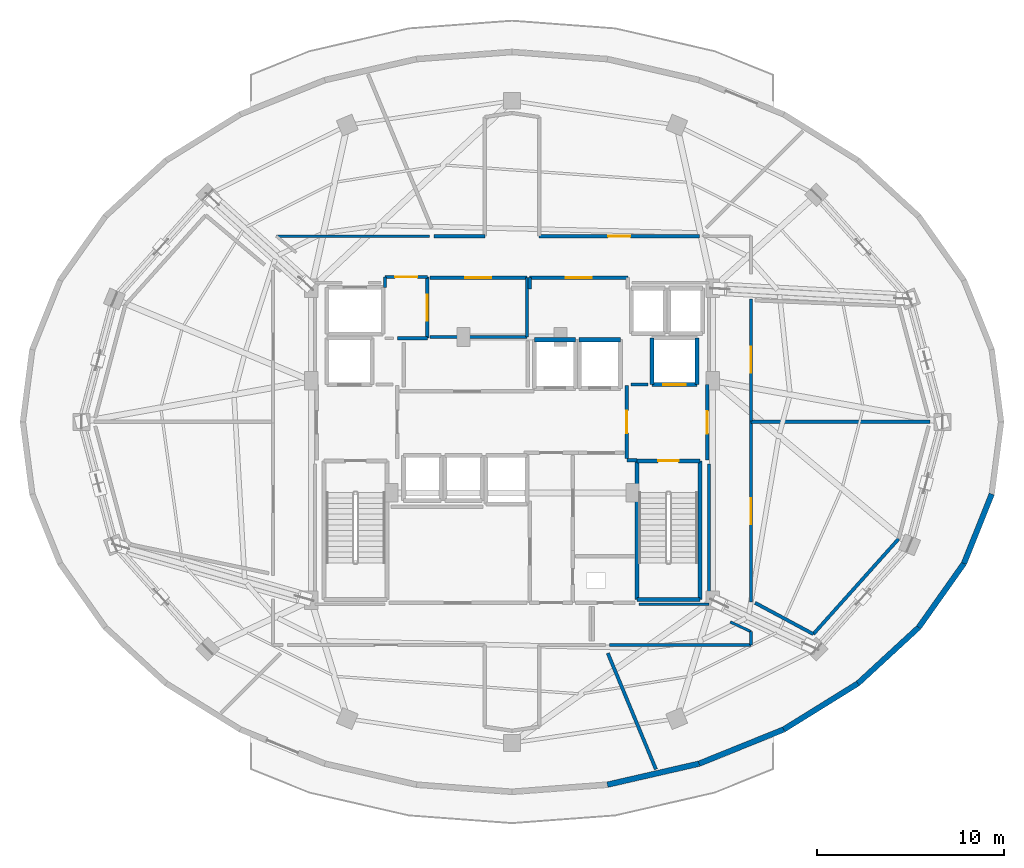
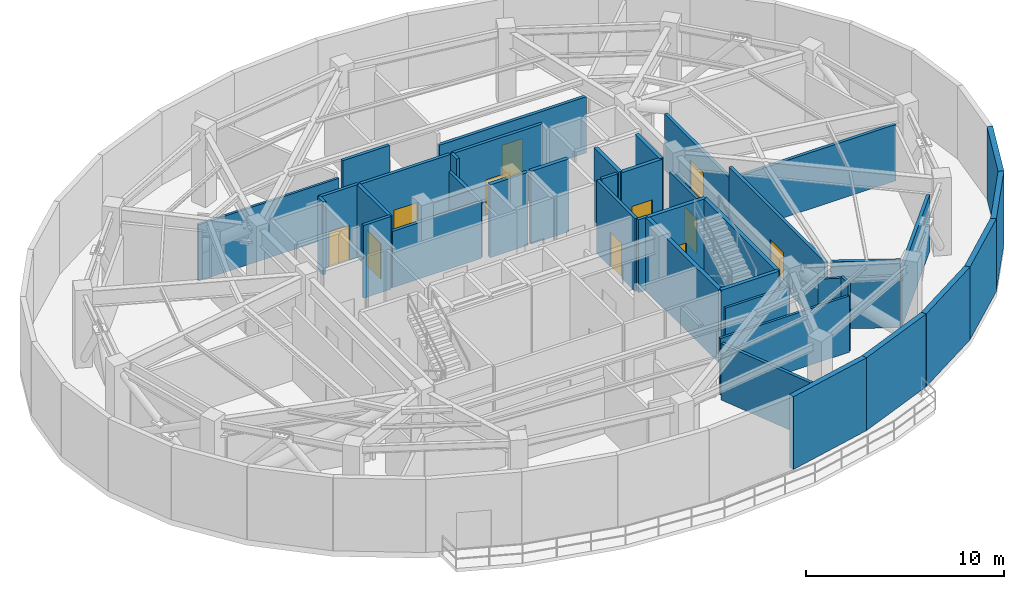
# One storey, part 8 of 10: 42 walls, 11 doors, 11 openings.
"""IFC4 building model written with IfcOpenShell, lengths in metres."""

from ifc_helpers import new_model, si_unit, direction, frame, frame_2d, origin, place, context, subcontext, project, spatial, rectangle, extrude, material, layer, layer_set, type_object, element, fill, save


model = new_model("IFC4")

# Units and contexts
model_context = context("Model", 3, precision=1e-05, world=origin(), true_north=direction((0.0, 1.0)))
body_context = subcontext(model_context, "Body", "Model", "MODEL_VIEW")
ifc_project = project(units=[si_unit("LENGTHUNIT", "METRE"), si_unit("AREAUNIT", "SQUARE_METRE"), si_unit("VOLUMEUNIT", "CUBIC_METRE"), si_unit("PLANEANGLEUNIT", "RADIAN"), si_unit("MASSUNIT", "GRAM", prefix="KILO")], contexts=[model_context])

# Site, building, storey
site_placement = place(None, origin())
site = spatial("IfcSite", under=ifc_project, at=site_placement, CompositionType="ELEMENT")
building_placement = place(site_placement, origin())
building = spatial("IfcBuilding", under=site, at=building_placement, Name="Vorneva Point Tower", CompositionType="ELEMENT")
storey_placement = place(building_placement, frame((0.0, 0.0, 224.949951171875)))
storey = spatial("IfcBuildingStorey", under=building, at=storey_placement, Name="L61", CompositionType="ELEMENT", Elevation=224.949951171875)

# Wall, opening, door
ifc_material_1 = material(Name="Concrete B60 (C50/60)", Category="concrete")
ifc_layer_1 = layer(ifc_material_1, 0.35009765625)
ifc_layer_set_1 = layer_set([ifc_layer_1], Name="Concrete B60 (C50/60)")
wall_type_1 = type_object("IfcWallType", Name="WL-CORE-350", PredefinedType="SHEAR", material=ifc_layer_set_1)
wall_1_placement = place(storey_placement, frame((45.5, 28.0, 0.0), z_axis=(0.0, 0.0, 1.0), x_axis=(1.0, 0.0, 0.0)))
wall_1 = element("IfcWall", 1, at=wall_1_placement, inside=storey, type_object=wall_type_1, Name="L61 Lift FFL2 Shaft Wall -Y", PredefinedType="SHEAR", context=body_context, shape_type="SweptSolid", body=[
    extrude(rectangle(XDim=2.39990234375, YDim=0.219970703125, at=frame_2d((1.199951171875, 0.0))), origin(), (0.0, 0.0, 1.0), 4.5),
])
opening_1_placement = place(wall_1_placement, frame((0.60009765625, 0.0, 0.0)))
opening_1 = element("IfcOpeningElement", 2, at=opening_1_placement, cuts=wall_1, Name="Opening LD-02", PredefinedType="OPENING", context=body_context, shape_type="SweptSolid", body=[
    extrude(rectangle(XDim=1.199951171875, YDim=2.199951171875, at=frame_2d((0.60009765625, 1.10009765625))), frame((0.0, 0.125, 0.0), z_axis=(0.0, -1.0, 0.0), x_axis=(1.0, 0.0, 0.0)), (0.0, 0.0, 1.0), 0.249755859375),
])
ifc_material_2 = material(Name="Brushed stainless steel S304", Category="steel")
door_type_1 = type_object("IfcDoorType", Name="LD-FIRE-1200", OperationType="SLIDING_TO_LEFT", PredefinedType="DOOR", material=ifc_material_2)
door_1_placement = place(opening_1_placement, origin())
door_1 = element("IfcDoor", 3, at=door_1_placement, inside=storey, type_object=door_type_1, Name="L61 Lift FFL2 Sliding Landing Door", OperationType="SLIDING_TO_LEFT", OverallHeight=2.199951171875, OverallWidth=1.199951171875, PredefinedType="DOOR", context=body_context, shape_type="SweptSolid", body=[
    extrude(rectangle(XDim=1.199951171875, YDim=2.199951171875, at=frame_2d((0.60009765625, 1.10009765625))), frame((0.0, 0.02490234375, 0.0), z_axis=(0.0, -1.0, 0.0), x_axis=(1.0, 0.0, 0.0)), (0.0, 0.0, 1.0), 0.050048828125),
])
fill(opening_1, door_1)

# Walls
for number, where, z_axis, x_axis, name in (
    (4, (47.89990234375, 28.0, 0.0), (0.0, 0.0, 1.0), (0.0, 1.0, 0.0), "L61 Lift FFL2 Shaft Wall +X"),
    (5, (45.5, 30.5, 0.0), (0.0, 0.0, 1.0), (0.0, -1.0, 0.0), "L61 Lift FFL2 Shaft Wall -X"),
):
    element("IfcWall", number, at=place(storey_placement, frame(where, z_axis=z_axis, x_axis=x_axis)), inside=storey, type_object=wall_type_1, Name=name, PredefinedType="SHEAR", context=body_context, shape_type="SweptSolid", body=[
        extrude(rectangle(XDim=2.5, YDim=0.219970703125, at=frame_2d((1.25, 0.0))), origin(), (0.0, 0.0, 1.0), 4.5),
    ])
ifc_material_3 = material(Name="Precast concrete B50 (C40/50)", Category="concrete")
ifc_layer_2 = layer(ifc_material_3, 0.300048828125)
ifc_layer_set_2 = layer_set([ifc_layer_2], Name="Precast concrete B50 (C40/50)")
wall_type_2 = type_object("IfcWallType", Name="WL-EXT-300", PredefinedType="STANDARD", material=ifc_layer_set_2)
wall_2_placement = place(storey_placement, frame((43.111328125, 6.570556640625, 0.0), z_axis=(0.0, 0.0, 1.0), x_axis=(0.974685739337, 0.223579313742, 0.0)))
element("IfcWall", 6, at=wall_2_placement, inside=storey, type_object=wall_type_2, Name="L61 Pale-Metal Facade Spandrel Wall 13.2", PredefinedType="STANDARD", context=body_context, shape_type="SweptSolid", body=[
    extrude(rectangle(XDim=5.042724609375, YDim=0.300048828125, at=frame_2d((2.521484375, 0.0))), origin(), (0.0, 0.0, 1.0), 4.5),
])
wall_3_placement = place(storey_placement, frame((48.0263671875, 7.697998046875, 0.0), z_axis=(0.0, 0.0, 1.0), x_axis=(0.927147375511, 0.374696869594, 0.0)))
element("IfcWall", 7, at=wall_3_placement, inside=storey, type_object=wall_type_2, Name="L61 Pale-Metal Facade Spandrel Wall 14.1", PredefinedType="STANDARD", context=body_context, shape_type="SweptSolid", body=[
    extrude(rectangle(XDim=4.885498046875, YDim=0.300048828125, at=frame_2d((2.44287109375, 0.0))), origin(), (0.0, 0.0, 1.0), 4.5),
])
wall_4_placement = place(storey_placement, frame((52.555908203125, 9.528564453125, 0.0), z_axis=(0.0, 0.0, 1.0), x_axis=(0.849702323036, 0.527262707032, 0.0)))
element("IfcWall", 8, at=wall_4_placement, inside=storey, type_object=wall_type_2, Name="L61 Pale-Metal Facade Spandrel Wall 14.2", PredefinedType="STANDARD", context=body_context, shape_type="SweptSolid", body=[
    extrude(rectangle(XDim=4.67236328125, YDim=0.300048828125, at=frame_2d((2.336181640625, 0.0))), origin(), (0.0, 0.0, 1.0), 4.5),
])
wall_5_placement = place(storey_placement, frame((56.526123046875, 11.9921875, 0.0), z_axis=(0.0, 0.0, 1.0), x_axis=(0.735445373611, 0.677584018727, 0.0)))
element("IfcWall", 9, at=wall_5_placement, inside=storey, type_object=wall_type_2, Name="L61 Pale-Metal Facade Spandrel Wall 15.1", PredefinedType="STANDARD", context=body_context, shape_type="SweptSolid", body=[
    extrude(rectangle(XDim=4.430419921875, YDim=0.300048828125, at=frame_2d((2.21533203125, 0.0))), origin(), (0.0, 0.0, 1.0), 4.5),
])
wall_6_placement = place(storey_placement, frame((59.784423828125, 14.994140625, 0.0), z_axis=(0.0, 0.0, 1.0), x_axis=(0.577261247247, 0.816559521668, 0.0)))
element("IfcWall", 10, at=wall_6_placement, inside=storey, type_object=wall_type_2, Name="L61 Pale-Metal Facade Spandrel Wall 15.2", PredefinedType="STANDARD", context=body_context, shape_type="SweptSolid", body=[
    extrude(rectangle(XDim=4.194091796875, YDim=0.300048828125, at=frame_2d((2.09716796875, 0.0))), origin(), (0.0, 0.0, 1.0), 4.5),
])
wall_7_placement = place(storey_placement, frame((62.20556640625, 18.4189453125, 0.0), z_axis=(0.0, 0.0, 1.0), x_axis=(0.37234708598, 0.928093555393, 0.0)))
element("IfcWall", 11, at=wall_7_placement, inside=storey, type_object=wall_type_2, Name="L61 Pale-Metal Facade Spandrel Wall 16.1", PredefinedType="STANDARD", context=body_context, shape_type="SweptSolid", body=[
    extrude(rectangle(XDim=4.004150390625, YDim=0.300048828125, at=frame_2d((2.001953125, 0.0))), origin(), (0.0, 0.0, 1.0), 4.5),
])
ifc_material_4 = material(Name="Fire-rated acoustic gypsum stud partition", Category="gypsum")
ifc_layer_3 = layer(ifc_material_4, 0.139892578125)
ifc_layer_set_3 = layer_set([ifc_layer_3], Name="Fire-rated acoustic gypsum stud partition")
wall_type_3 = type_object("IfcWallType", Name="WL-PART-140", PredefinedType="PARTITIONING", material=ifc_layer_set_3)
wall_8_placement = place(storey_placement, frame((43.235107421875, 14.050048828125, 0.0), z_axis=(0.0, 0.0, 1.0), x_axis=(1.0, 0.0, 0.0)))
element("IfcWall", 12, at=wall_8_placement, inside=storey, type_object=wall_type_3, Name="L61 Interior Closure Partition 050", PredefinedType="PARTITIONING", context=body_context, shape_type="SweptSolid", body=[
    extrude(rectangle(XDim=7.56494140625, YDim=0.139892578125, at=frame_2d((3.782470703125, 0.0))), origin(), (0.0, 0.0, 1.0), 3.48193359375),
])
wall_9_placement = place(storey_placement, frame((50.800048828125, 14.050048828125, 0.0), z_axis=(0.0, 0.0, 1.0), x_axis=(0.0, 1.0, 0.0)))
element("IfcWall", 13, at=wall_9_placement, inside=storey, type_object=wall_type_3, Name="L61 Interior Closure Partition 051", PredefinedType="PARTITIONING", context=body_context, shape_type="SweptSolid", body=[
    extrude(rectangle(XDim=0.716064453125, YDim=0.139892578125, at=frame_2d((0.35791015625, 0.0))), origin(), (0.0, 0.0, 1.0), 4.23193359375),
])
wall_10_placement = place(storey_placement, frame((50.800048828125, 14.76611328125, 0.0), z_axis=(0.0, 0.0, 1.0), x_axis=(-0.904646647719, 0.426162460537, 0.0)))
element("IfcWall", 14, at=wall_10_placement, inside=storey, type_object=wall_type_3, Name="L61 Interior Closure Partition 052", PredefinedType="PARTITIONING", context=body_context, shape_type="SweptSolid", body=[
    extrude(rectangle(XDim=1.222412109375, YDim=0.139892578125, at=frame_2d((0.611328125, 0.0))), origin(), (0.0, 0.0, 1.0), 4.14599609375),
])
wall_11_placement = place(storey_placement, frame((33.593994140625, 35.949951171875, 0.0), z_axis=(0.0, 0.0, 1.0), x_axis=(-1.0, 0.0, 0.0)))
element("IfcWall", 15, at=wall_11_placement, inside=storey, type_object=wall_type_3, Name="L61 Interior Closure Partition 055", PredefinedType="PARTITIONING", context=body_context, shape_type="SweptSolid", body=[
    extrude(rectangle(XDim=8.215087890625, YDim=0.139892578125, at=frame_2d((4.107421875, 0.0))), origin(), (0.0, 0.0, 1.0), 3.48193359375),
])
wall_12_placement = place(storey_placement, frame((44.804931640625, 16.239990234375, 0.0), z_axis=(0.0, 0.0, 1.0), x_axis=(1.0, 0.0, 0.0)))
element("IfcWall", 16, at=wall_12_placement, inside=storey, type_object=wall_type_3, Name="L61 Interior Closure Partition 067", PredefinedType="PARTITIONING", context=body_context, shape_type="SweptSolid", body=[
    extrude(rectangle(XDim=3.7451171875, YDim=0.139892578125, at=frame_2d((1.87255859375, 0.0))), origin(), (0.0, 0.0, 1.0), 3.48193359375),
])
wall_13_placement = place(storey_placement, frame((48.550048828125, 16.239990234375, 0.0), z_axis=(0.0, 0.0, 1.0), x_axis=(0.0, 1.0, 0.0)))
element("IfcWall", 17, at=wall_13_placement, inside=storey, type_object=wall_type_3, Name="L61 Interior Closure Partition 068", PredefinedType="PARTITIONING", context=body_context, shape_type="SweptSolid", body=[
    extrude(rectangle(XDim=7.513916015625, YDim=0.139892578125, at=frame_2d((3.7568359375, 0.0))), origin(), (0.0, 0.0, 1.0), 3.48193359375),
])

# Wall, opening, door
ifc_material_5 = material(Name="Autoclaved aerated concrete blockwork", Category="masonry")
ifc_layer_4 = layer(ifc_material_5, 0.179931640625)
ifc_layer_set_4 = layer_set([ifc_layer_4], Name="Autoclaved aerated concrete blockwork")
wall_type_4 = type_object("IfcWallType", Name="WL-PART-180", PredefinedType="PARTITIONING", material=ifc_layer_set_4)
wall_14_placement = place(storey_placement, frame((44.14990234375, 27.955078125, 0.0), z_axis=(0.0, 0.0, 1.0), x_axis=(0.0, -1.0, 0.0)))
wall_14 = element("IfcWall", 18, at=wall_14_placement, inside=storey, type_object=wall_type_4, Name="L61 Interior Partition 003", PredefinedType="PARTITIONING", context=body_context, shape_type="SweptSolid", body=[
    extrude(rectangle(XDim=3.91015625, YDim=0.179931640625, at=frame_2d((1.955078125, 0.0))), origin(), (0.0, 0.0, 1.0), 4.5),
])
opening_2_placement = place(wall_14_placement, frame((1.35498046875, 0.0, 0.0)))
opening_2 = element("IfcOpeningElement", 19, at=opening_2_placement, cuts=wall_14, Name="Opening FD-02", PredefinedType="OPENING", context=body_context, shape_type="SweptSolid", body=[
    extrude(rectangle(XDim=1.199951171875, YDim=2.14990234375, at=frame_2d((0.60009765625, 1.074951171875))), frame((0.0, 0.10498046875, 0.0), z_axis=(0.0, -1.0, 0.0), x_axis=(1.0, 0.0, 0.0)), (0.0, 0.0, 1.0), 0.209716796875),
])
ifc_material_6 = material(Name="Fire-rated powder-coated steel", Category="steel")
door_type_2 = type_object("IfcDoorType", Name="DR-FFL-1200", OperationType="NOTDEFINED", PredefinedType="DOOR", material=ifc_material_6)
door_2_placement = place(opening_2_placement, origin())
door_2 = element("IfcDoor", 20, at=door_2_placement, inside=storey, type_object=door_type_2, Name="L61 Door East Firefighting Lobby / Central Lift Lobby", OperationType="SINGLE_SWING_RIGHT", OverallHeight=2.14990234375, OverallWidth=1.199951171875, PredefinedType="DOOR", context=body_context, shape_type="SweptSolid", body=[
    extrude(rectangle(XDim=1.199951171875, YDim=2.14990234375, at=frame_2d((0.60009765625, 1.074951171875))), frame((0.0, 0.02490234375, 0.0), z_axis=(0.0, -1.0, 0.0), x_axis=(1.0, 0.0, 0.0)), (0.0, 0.0, 1.0), 0.050048828125),
])
fill(opening_2, door_2)

# Wall
wall_15_placement = place(storey_placement, frame((44.14990234375, 23.949951171875, 0.0), z_axis=(0.0, 0.0, 1.0), x_axis=(1.0, 0.0, 0.0)))
element("IfcWall", 21, at=wall_15_placement, inside=storey, type_object=wall_type_4, Name="L61 Interior Partition 004", PredefinedType="PARTITIONING", context=body_context, shape_type="SweptSolid", body=[
    extrude(rectangle(XDim=0.5400390625, YDim=0.179931640625, at=frame_2d((0.27001953125, 0.0))), origin(), (0.0, 0.0, 1.0), 4.5),
])

# Wall, opening, door
wall_16_placement = place(storey_placement, frame((48.449951171875, 23.949951171875, 0.0), z_axis=(0.0, 0.0, 1.0), x_axis=(0.0, 1.0, 0.0)))
wall_16 = element("IfcWall", 22, at=wall_16_placement, inside=storey, type_object=wall_type_4, Name="L61 Interior Partition 005", PredefinedType="PARTITIONING", context=body_context, shape_type="SweptSolid", body=[
    extrude(rectangle(XDim=4.050048828125, YDim=0.179931640625, at=frame_2d((2.02490234375, 0.0))), origin(), (0.0, 0.0, 1.0), 3.48193359375),
])
opening_3_placement = place(wall_16_placement, frame((1.425048828125, 0.0, 0.0)))
opening_3 = element("IfcOpeningElement", 23, at=opening_3_placement, cuts=wall_16, Name="Opening FD-02", PredefinedType="OPENING", context=body_context, shape_type="SweptSolid", body=[
    extrude(rectangle(XDim=1.199951171875, YDim=2.14990234375, at=frame_2d((0.60009765625, 1.074951171875))), frame((0.0, 0.10498046875, 0.0), z_axis=(0.0, -1.0, 0.0), x_axis=(1.0, 0.0, 0.0)), (0.0, 0.0, 1.0), 0.209716796875),
])
door_3_placement = place(opening_3_placement, origin())
door_3 = element("IfcDoor", 24, at=door_3_placement, inside=storey, type_object=door_type_2, Name="L61 Door East Firefighting Lobby / L61 Refuge and Lift Lobby", OperationType="SINGLE_SWING_LEFT", OverallHeight=2.14990234375, OverallWidth=1.199951171875, PredefinedType="DOOR", context=body_context, shape_type="SweptSolid", body=[
    extrude(rectangle(XDim=1.199951171875, YDim=2.14990234375, at=frame_2d((0.60009765625, 1.074951171875))), frame((0.0, 0.02490234375, 0.0), z_axis=(0.0, -1.0, 0.0), x_axis=(1.0, 0.0, 0.0)), (0.0, 0.0, 1.0), 0.050048828125),
])
fill(opening_3, door_3)

wall_17_placement = place(storey_placement, frame((33.469970703125, 30.47998046875, 0.0), z_axis=(0.0, 0.0, 1.0), x_axis=(0.0, 1.0, 0.0)))
wall_17 = element("IfcWall", 25, at=wall_17_placement, inside=storey, type_object=wall_type_4, Name="L61 Interior Partition 006", PredefinedType="PARTITIONING", context=body_context, shape_type="SweptSolid", body=[
    extrude(rectangle(XDim=3.280029296875, YDim=0.179931640625, at=frame_2d((1.64013671875, 0.0))), origin(), (0.0, 0.0, 1.0), 4.5),
])
opening_4_placement = place(wall_17_placement, frame((0.93994140625, 0.0, 0.0)))
opening_4 = element("IfcOpeningElement", 26, at=opening_4_placement, cuts=wall_17, Name="Opening FD-03", PredefinedType="OPENING", context=body_context, shape_type="SweptSolid", body=[
    extrude(rectangle(XDim=1.39990234375, YDim=2.199951171875, at=frame_2d((0.699951171875, 1.10009765625))), frame((0.0, 0.10498046875, 0.0), z_axis=(0.0, -1.0, 0.0), x_axis=(1.0, 0.0, 0.0)), (0.0, 0.0, 1.0), 0.209716796875),
])
door_type_3 = type_object("IfcDoorType", Name="DR-PLT-1400", OperationType="DOUBLE_SWING_LEFT", PredefinedType="DOOR", material=ifc_material_6)
door_4_placement = place(opening_4_placement, origin())
door_4 = element("IfcDoor", 27, at=door_4_placement, inside=storey, type_object=door_type_3, Name="L61 Door Service Lift Lobby / Core Smoke Extract Plant L61", OperationType="DOUBLE_SWING_LEFT", OverallHeight=2.199951171875, OverallWidth=1.39990234375, PredefinedType="DOOR", context=body_context, shape_type="SweptSolid", body=[
    extrude(rectangle(XDim=1.39990234375, YDim=2.199951171875, at=frame_2d((0.699951171875, 1.10009765625))), frame((0.0, 0.02490234375, 0.0), z_axis=(0.0, -1.0, 0.0), x_axis=(1.0, 0.0, 0.0)), (0.0, 0.0, 1.0), 0.050048828125),
])
fill(opening_4, door_4)

# Wall
wall_18_placement = place(storey_placement, frame((31.8701171875, 30.47998046875, 0.0), z_axis=(0.0, 0.0, 1.0), x_axis=(1.0, 0.0, 0.0)))
element("IfcWall", 28, at=wall_18_placement, inside=storey, type_object=wall_type_4, Name="L61 Interior Partition 007", PredefinedType="PARTITIONING", context=body_context, shape_type="SweptSolid", body=[
    extrude(rectangle(XDim=1.599853515625, YDim=0.179931640625, at=frame_2d((0.7998046875, 0.0))), origin(), (0.0, 0.0, 1.0), 4.5),
])

# Wall, opening, door
wall_19_placement = place(storey_placement, frame((33.469970703125, 33.760009765625, 0.0), z_axis=(0.0, 0.0, 1.0), x_axis=(-1.0, 0.0, 0.0)))
wall_19 = element("IfcWall", 29, at=wall_19_placement, inside=storey, type_object=wall_type_4, Name="L61 Interior Partition 008", PredefinedType="PARTITIONING", context=body_context, shape_type="SweptSolid", body=[
    extrude(rectangle(XDim=2.27001953125, YDim=0.179931640625, at=frame_2d((1.135009765625, 0.0))), origin(), (0.0, 0.0, 1.0), 4.5),
])
opening_5_placement = place(wall_19_placement, frame((0.534912109375, 0.0, 0.0)))
opening_5 = element("IfcOpeningElement", 30, at=opening_5_placement, cuts=wall_19, Name="Opening FD-02", PredefinedType="OPENING", context=body_context, shape_type="SweptSolid", body=[
    extrude(rectangle(XDim=1.199951171875, YDim=2.14990234375, at=frame_2d((0.60009765625, 1.074951171875))), frame((0.0, 0.10498046875, 0.0), z_axis=(0.0, -1.0, 0.0), x_axis=(1.0, 0.0, 0.0)), (0.0, 0.0, 1.0), 0.209716796875),
])
door_5_placement = place(opening_5_placement, origin())
door_5 = element("IfcDoor", 31, at=door_5_placement, inside=storey, type_object=door_type_2, Name="L61 Door Service Lift Lobby / L61 Refuge and Lift Lobby", OperationType="SINGLE_SWING_RIGHT", OverallHeight=2.14990234375, OverallWidth=1.199951171875, PredefinedType="DOOR", context=body_context, shape_type="SweptSolid", body=[
    extrude(rectangle(XDim=1.199951171875, YDim=2.14990234375, at=frame_2d((0.60009765625, 1.074951171875))), frame((0.0, 0.02490234375, 0.0), z_axis=(0.0, -1.0, 0.0), x_axis=(1.0, 0.0, 0.0)), (0.0, 0.0, 1.0), 0.050048828125),
])
fill(opening_5, door_5)

# Walls
wall_20_placement = place(storey_placement, frame((31.199951171875, 33.760009765625, 0.0), z_axis=(0.0, 0.0, 1.0), x_axis=(0.0, -1.0, 0.0)))
element("IfcWall", 32, at=wall_20_placement, inside=storey, type_object=wall_type_4, Name="L61 Interior Partition 009", PredefinedType="PARTITIONING", context=body_context, shape_type="SweptSolid", body=[
    extrude(rectangle(XDim=0.56005859375, YDim=0.179931640625, at=frame_2d((0.280029296875, 0.0))), origin(), (0.0, 0.0, 1.0), 4.5),
])
wall_21_placement = place(storey_placement, frame((38.800048828125, 30.550048828125, 0.0), z_axis=(0.0, 0.0, 1.0), x_axis=(0.0, 1.0, 0.0)))
element("IfcWall", 33, at=wall_21_placement, inside=storey, type_object=wall_type_4, Name="L61 Interior Partition 017", PredefinedType="PARTITIONING", context=body_context, shape_type="SweptSolid", body=[
    extrude(rectangle(XDim=3.169921875, YDim=0.179931640625, at=frame_2d((1.5849609375, 0.0))), origin(), (0.0, 0.0, 1.0), 3.48193359375),
])
wall_22_placement = place(storey_placement, frame((33.60009765625, 30.550048828125, 0.0), z_axis=(0.0, 0.0, 1.0), x_axis=(1.0, 0.0, 0.0)))
element("IfcWall", 34, at=wall_22_placement, inside=storey, type_object=wall_type_4, Name="L61 Interior Partition 018", PredefinedType="PARTITIONING", context=body_context, shape_type="SweptSolid", body=[
    extrude(rectangle(XDim=5.199951171875, YDim=0.179931640625, at=frame_2d((2.60009765625, 0.0))), origin(), (0.0, 0.0, 1.0), 3.48193359375),
])

# Wall, opening, door
wall_23_placement = place(storey_placement, frame((38.800048828125, 33.719970703125, 0.0), z_axis=(0.0, 0.0, 1.0), x_axis=(-1.0, 0.0, 0.0)))
wall_23 = element("IfcWall", 35, at=wall_23_placement, inside=storey, type_object=wall_type_4, Name="L61 Interior Partition 019", PredefinedType="PARTITIONING", context=body_context, shape_type="SweptSolid", body=[
    extrude(rectangle(XDim=5.199951171875, YDim=0.179931640625, at=frame_2d((2.60009765625, 0.0))), origin(), (0.0, 0.0, 1.0), 4.5),
])
opening_6_placement = place(wall_23_placement, frame((1.89990234375, 0.0, 0.0)))
opening_6 = element("IfcOpeningElement", 36, at=opening_6_placement, cuts=wall_23, Name="Opening FD-03", PredefinedType="OPENING", context=body_context, shape_type="SweptSolid", body=[
    extrude(rectangle(XDim=1.39990234375, YDim=2.199951171875, at=frame_2d((0.699951171875, 1.10009765625))), frame((0.0, 0.10498046875, 0.0), z_axis=(0.0, -1.0, 0.0), x_axis=(1.0, 0.0, 0.0)), (0.0, 0.0, 1.0), 0.209716796875),
])
door_6_placement = place(opening_6_placement, origin())
door_6 = element("IfcDoor", 37, at=door_6_placement, inside=storey, type_object=door_type_3, Name="L61 Door Core Smoke Extract Plant L61 / L61 Refuge and Lift Lobby", OperationType="DOUBLE_SWING_LEFT", OverallHeight=2.199951171875, OverallWidth=1.39990234375, PredefinedType="DOOR", context=body_context, shape_type="SweptSolid", body=[
    extrude(rectangle(XDim=1.39990234375, YDim=2.199951171875, at=frame_2d((0.699951171875, 1.10009765625))), frame((0.0, 0.02490234375, 0.0), z_axis=(0.0, -1.0, 0.0), x_axis=(1.0, 0.0, 0.0)), (0.0, 0.0, 1.0), 0.050048828125),
])
fill(opening_6, door_6)

wall_24_placement = place(storey_placement, frame((44.199951171875, 33.719970703125, 0.0), z_axis=(0.0, 0.0, 1.0), x_axis=(-1.0, 0.0, 0.0)))
wall_24 = element("IfcWall", 38, at=wall_24_placement, inside=storey, type_object=wall_type_4, Name="L61 Interior Partition 020", PredefinedType="PARTITIONING", context=body_context, shape_type="SweptSolid", body=[
    extrude(rectangle(XDim=5.25, YDim=0.179931640625, at=frame_2d((2.625, 0.0))), origin(), (0.0, 0.0, 1.0), 4.5),
])
opening_7_placement = place(wall_24_placement, frame((1.925048828125, 0.0, 0.0)))
opening_7 = element("IfcOpeningElement", 39, at=opening_7_placement, cuts=wall_24, Name="Opening FD-03", PredefinedType="OPENING", context=body_context, shape_type="SweptSolid", body=[
    extrude(rectangle(XDim=1.39990234375, YDim=2.199951171875, at=frame_2d((0.699951171875, 1.10009765625))), frame((0.0, 0.10498046875, 0.0), z_axis=(0.0, -1.0, 0.0), x_axis=(1.0, 0.0, 0.0)), (0.0, 0.0, 1.0), 0.209716796875),
])
door_7_placement = place(opening_7_placement, origin())
door_7 = element("IfcDoor", 40, at=door_7_placement, inside=storey, type_object=door_type_3, Name="L61 Door Core Electrical Switchgear Room L61 / L61 Refuge and Lift Lobby", OperationType="DOUBLE_SWING_LEFT", OverallHeight=2.199951171875, OverallWidth=1.39990234375, PredefinedType="DOOR", context=body_context, shape_type="SweptSolid", body=[
    extrude(rectangle(XDim=1.39990234375, YDim=2.199951171875, at=frame_2d((0.699951171875, 1.10009765625))), frame((0.0, 0.02490234375, 0.0), z_axis=(0.0, -1.0, 0.0), x_axis=(1.0, 0.0, 0.0)), (0.0, 0.0, 1.0), 0.050048828125),
])
fill(opening_7, door_7)

# Wall
wall_25_placement = place(storey_placement, frame((38.949951171875, 33.719970703125, 0.0), z_axis=(0.0, 0.0, 1.0), x_axis=(0.0, -1.0, 0.0)))
element("IfcWall", 41, at=wall_25_placement, inside=storey, type_object=wall_type_4, Name="L61 Interior Partition 021", PredefinedType="PARTITIONING", context=body_context, shape_type="SweptSolid", body=[
    extrude(rectangle(XDim=0.60986328125, YDim=0.179931640625, at=frame_2d((0.304931640625, 0.0))), origin(), (0.0, 0.0, 1.0), 4.5),
])

# Wall, opening, door
wall_26_placement = place(storey_placement, frame((48.034912109375, 35.949951171875, 0.0), z_axis=(0.0, 0.0, 1.0), x_axis=(-1.0, 0.0, 0.0)))
wall_26 = element("IfcWall", 42, at=wall_26_placement, inside=storey, type_object=wall_type_4, Name="L61 Interior Partition 026", PredefinedType="PARTITIONING", context=body_context, shape_type="SweptSolid", body=[
    extrude(rectangle(XDim=8.5849609375, YDim=0.179931640625, at=frame_2d((4.29248046875, 0.0))), origin(), (0.0, 0.0, 1.0), 3.48193359375),
])
opening_8_placement = place(wall_26_placement, frame((3.6923828125, 0.0, 0.0)))
opening_8 = element("IfcOpeningElement", 43, at=opening_8_placement, cuts=wall_26, Name="Opening FD-02", PredefinedType="OPENING", context=body_context, shape_type="SweptSolid", body=[
    extrude(rectangle(XDim=1.199951171875, YDim=2.14990234375, at=frame_2d((0.60009765625, 1.074951171875))), frame((0.0, 0.10498046875, 0.0), z_axis=(0.0, -1.0, 0.0), x_axis=(1.0, 0.0, 0.0)), (0.0, 0.0, 1.0), 0.209716796875),
])
door_8_placement = place(opening_8_placement, origin())
door_8 = element("IfcDoor", 44, at=door_8_placement, inside=storey, type_object=door_type_2, Name="L61 Door L61 Refuge and Lift Lobby / Refuge Area North L61", OperationType="SINGLE_SWING_RIGHT", OverallHeight=2.14990234375, OverallWidth=1.199951171875, PredefinedType="DOOR", context=body_context, shape_type="SweptSolid", body=[
    extrude(rectangle(XDim=1.199951171875, YDim=2.14990234375, at=frame_2d((0.60009765625, 1.074951171875))), frame((0.0, 0.02490234375, 0.0), z_axis=(0.0, -1.0, 0.0), x_axis=(1.0, 0.0, 0.0)), (0.0, 0.0, 1.0), 0.050048828125),
])
fill(opening_8, door_8)

# Wall
wall_27_placement = place(storey_placement, frame((36.550048828125, 35.949951171875, 0.0), z_axis=(0.0, 0.0, 1.0), x_axis=(-1.0, 0.0, 0.0)))
element("IfcWall", 45, at=wall_27_placement, inside=storey, type_object=wall_type_4, Name="L61 Interior Partition 031", PredefinedType="PARTITIONING", context=body_context, shape_type="SweptSolid", body=[
    extrude(rectangle(XDim=2.736083984375, YDim=0.179931640625, at=frame_2d((1.3681640625, 0.0))), origin(), (0.0, 0.0, 1.0), 4.5),
])

# Wall, opening, door
wall_28_placement = place(storey_placement, frame((50.800048828125, 16.35888671875, 0.0), z_axis=(0.0, 0.0, 1.0), x_axis=(0.0, 1.0, 0.0)))
wall_28 = element("IfcWall", 46, at=wall_28_placement, inside=storey, type_object=wall_type_4, Name="L61 Interior Partition 040", PredefinedType="PARTITIONING", context=body_context, shape_type="SweptSolid", body=[
    extrude(rectangle(XDim=9.701171875, YDim=0.179931640625, at=frame_2d((4.8505859375, 0.0))), origin(), (0.0, 0.0, 1.0), 4.14599609375),
])
opening_9_placement = place(wall_28_placement, frame((4.150390625, 0.0, 0.0)))
opening_9 = element("IfcOpeningElement", 47, at=opening_9_placement, cuts=wall_28, Name="Opening FD-03", PredefinedType="OPENING", context=body_context, shape_type="SweptSolid", body=[
    extrude(rectangle(XDim=1.39990234375, YDim=2.199951171875, at=frame_2d((0.699951171875, 1.10009765625))), frame((0.0, 0.10498046875, 0.0), z_axis=(0.0, -1.0, 0.0), x_axis=(1.0, 0.0, 0.0)), (0.0, 0.0, 1.0), 0.209716796875),
])
door_9_placement = place(opening_9_placement, origin())
door_9 = element("IfcDoor", 48, at=door_9_placement, inside=storey, type_object=door_type_3, Name="L61 Door L61 Refuge and Lift Lobby / Air Handling Plant Room L61", OperationType="DOUBLE_SWING_LEFT", OverallHeight=2.199951171875, OverallWidth=1.39990234375, PredefinedType="DOOR", context=body_context, shape_type="SweptSolid", body=[
    extrude(rectangle(XDim=1.39990234375, YDim=2.199951171875, at=frame_2d((0.699951171875, 1.10009765625))), frame((0.0, 0.02490234375, 0.0), z_axis=(0.0, -1.0, 0.0), x_axis=(1.0, 0.0, 0.0)), (0.0, 0.0, 1.0), 0.050048828125),
])
fill(opening_9, door_9)

wall_29_placement = place(storey_placement, frame((50.800048828125, 26.06005859375, 0.0), z_axis=(0.0, 0.0, 1.0), x_axis=(0.0, 1.0, 0.0)))
wall_29 = element("IfcWall", 49, at=wall_29_placement, inside=storey, type_object=wall_type_4, Name="L61 Interior Partition 041", PredefinedType="PARTITIONING", context=body_context, shape_type="SweptSolid", body=[
    extrude(rectangle(XDim=6.517822265625, YDim=0.179931640625, at=frame_2d((3.2587890625, 0.0))), origin(), (0.0, 0.0, 1.0), 3.48193359375),
])
opening_10_placement = place(wall_29_placement, frame((2.55908203125, 0.0, 0.0)))
opening_10 = element("IfcOpeningElement", 50, at=opening_10_placement, cuts=wall_29, Name="Opening FD-03", PredefinedType="OPENING", context=body_context, shape_type="SweptSolid", body=[
    extrude(rectangle(XDim=1.39990234375, YDim=2.199951171875, at=frame_2d((0.699951171875, 1.10009765625))), frame((0.0, 0.10498046875, 0.0), z_axis=(0.0, -1.0, 0.0), x_axis=(1.0, 0.0, 0.0)), (0.0, 0.0, 1.0), 0.209716796875),
])
door_10_placement = place(opening_10_placement, origin())
door_10 = element("IfcDoor", 51, at=door_10_placement, inside=storey, type_object=door_type_3, Name="L61 Door L61 Refuge and Lift Lobby / Electrical Switchgear Room L61", OperationType="DOUBLE_SWING_LEFT", OverallHeight=2.199951171875, OverallWidth=1.39990234375, PredefinedType="DOOR", context=body_context, shape_type="SweptSolid", body=[
    extrude(rectangle(XDim=1.39990234375, YDim=2.199951171875, at=frame_2d((0.699951171875, 1.10009765625))), frame((0.0, 0.02490234375, 0.0), z_axis=(0.0, -1.0, 0.0), x_axis=(1.0, 0.0, 0.0)), (0.0, 0.0, 1.0), 0.050048828125),
])
fill(opening_10, door_10)

# Walls
wall_30_placement = place(storey_placement, frame((60.376953125, 26.0, 0.0), z_axis=(0.0, 0.0, 1.0), x_axis=(-1.0, 0.0, 0.0)))
element("IfcWall", 52, at=wall_30_placement, inside=storey, type_object=wall_type_4, Name="L61 Interior Partition 043", PredefinedType="PARTITIONING", context=body_context, shape_type="SweptSolid", body=[
    extrude(rectangle(XDim=9.576904296875, YDim=0.179931640625, at=frame_2d((4.78857421875, 0.0))), origin(), (0.0, 0.0, 1.0), 3.48193359375),
])
wall_31_placement = place(storey_placement, frame((45.280029296875, 28.0, 0.0), z_axis=(0.0, 0.0, 1.0), x_axis=(-1.0, 0.0, 0.0)))
element("IfcWall", 53, at=wall_31_placement, inside=storey, type_object=wall_type_4, Name="L61 Interior Closure Partition 045", PredefinedType="PARTITIONING", context=body_context, shape_type="SweptSolid", body=[
    extrude(rectangle(XDim=0.9150390625, YDim=0.179931640625, at=frame_2d((0.45751953125, 0.0))), origin(), (0.0, 0.0, 1.0), 4.5),
])
wall_32_placement = place(storey_placement, frame((45.7080078125, 7.39208984375, 0.0), z_axis=(0.0, 0.0, 1.0), x_axis=(-0.382696560831, 0.923874094413, 0.0)))
element("IfcWall", 54, at=wall_32_placement, inside=storey, type_object=wall_type_4, Name="L61 Interior Closure Partition 080", PredefinedType="PARTITIONING", context=body_context, shape_type="SweptSolid", body=[
    extrude(rectangle(XDim=6.733642578125, YDim=0.179931640625, at=frame_2d((3.36669921875, 0.0))), origin(), (0.0, 0.0, 1.0), 3.48193359375),
])
wall_33_placement = place(storey_placement, frame((51.014892578125, 16.31201171875, 0.0), z_axis=(0.0, 0.0, 1.0), x_axis=(0.880963604882, -0.473184030662, 0.0)))
element("IfcWall", 55, at=wall_33_placement, inside=storey, type_object=wall_type_4, Name="L61 Interior Closure Partition 081", PredefinedType="PARTITIONING", context=body_context, shape_type="SweptSolid", body=[
    extrude(rectangle(XDim=3.546142578125, YDim=0.179931640625, at=frame_2d((1.77294921875, 0.0))), origin(), (0.0, 0.0, 1.0), 4.14599609375),
])
wall_34_placement = place(storey_placement, frame((54.138916015625, 14.634033203125, 0.0), z_axis=(0.0, 0.0, 1.0), x_axis=(0.667048046009, 0.745014700738, 0.0)))
element("IfcWall", 56, at=wall_34_placement, inside=storey, type_object=wall_type_4, Name="L61 Interior Closure Partition 082", PredefinedType="PARTITIONING", context=body_context, shape_type="SweptSolid", body=[
    extrude(rectangle(XDim=6.84814453125, YDim=0.179931640625, at=frame_2d((3.424072265625, 0.0))), origin(), (0.0, 0.0, 1.0), 3.48193359375),
])

# Wall, opening, door
ifc_material_7 = material(Name="Concrete B50 (C40/50)", Category="concrete")
ifc_layer_5 = layer(ifc_material_7, 0.219970703125)
ifc_layer_set_5 = layer_set([ifc_layer_5], Name="Concrete B50 (C40/50)")
wall_type_5 = type_object("IfcWallType", Name="WL-SHFT-220", PredefinedType="SOLIDWALL", material=ifc_layer_set_5)
wall_35_placement = place(storey_placement, frame((44.68994140625, 23.909912109375, 0.0), z_axis=(0.0, 0.0, 1.0), x_axis=(1.0, 0.0, 0.0)))
wall_35 = element("IfcWall", 57, at=wall_35_placement, inside=storey, type_object=wall_type_5, Name="L61 Exit Stair ST2 Shaft Wall near", PredefinedType="SOLIDWALL", context=body_context, shape_type="SweptSolid", body=[
    extrude(rectangle(XDim=3.3701171875, YDim=0.219970703125, at=frame_2d((1.68505859375, 0.0))), origin(), (0.0, 0.0, 1.0), 4.5),
])
opening_11_placement = place(wall_35_placement, frame((1.135009765625, 0.0, 0.0)))
opening_11 = element("IfcOpeningElement", 58, at=opening_11_placement, cuts=wall_35, Name="Opening FD-01", PredefinedType="OPENING", context=body_context, shape_type="SweptSolid", body=[
    extrude(rectangle(XDim=1.10009765625, YDim=2.14990234375, at=frame_2d((0.550048828125, 1.074951171875))), frame((0.0, 0.125, 0.0), z_axis=(0.0, -1.0, 0.0), x_axis=(1.0, 0.0, 0.0)), (0.0, 0.0, 1.0), 0.249755859375),
])
door_type_4 = type_object("IfcDoorType", Name="DR-STAIR-1100", OperationType="NOTDEFINED", PredefinedType="DOOR", material=ifc_material_6)
door_11_placement = place(opening_11_placement, origin())
door_11 = element("IfcDoor", 59, at=door_11_placement, inside=storey, type_object=door_type_4, Name="L61 Exit Stair ST2 Fire Door", OperationType="SINGLE_SWING_RIGHT", OverallHeight=2.14990234375, OverallWidth=1.10009765625, PredefinedType="DOOR", context=body_context, shape_type="SweptSolid", body=[
    extrude(rectangle(XDim=1.10009765625, YDim=2.14990234375, at=frame_2d((0.550048828125, 1.074951171875))), frame((0.0, 0.02490234375, 0.0), z_axis=(0.0, -1.0, 0.0), x_axis=(1.0, 0.0, 0.0)), (0.0, 0.0, 1.0), 0.050048828125),
])
fill(opening_11, door_11)

# Walls
wall_36_placement = place(storey_placement, frame((48.06005859375, 23.909912109375, 0.0), z_axis=(0.0, 0.0, 1.0), x_axis=(0.0, -1.0, 0.0)))
element("IfcWall", 60, at=wall_36_placement, inside=storey, type_object=wall_type_5, Name="L61 Exit Stair ST2 Shaft Wall right", PredefinedType="SOLIDWALL", context=body_context, shape_type="SweptSolid", body=[
    extrude(rectangle(XDim=7.419921875, YDim=0.219970703125, at=frame_2d((3.7099609375, 0.0))), origin(), (0.0, 0.0, 1.0), 4.5),
])
wall_37_placement = place(storey_placement, frame((48.06005859375, 16.489990234375, 0.0), z_axis=(0.0, 0.0, 1.0), x_axis=(-1.0, 0.0, 0.0)))
element("IfcWall", 61, at=wall_37_placement, inside=storey, type_object=wall_type_5, Name="L61 Exit Stair ST2 Shaft Wall far", PredefinedType="SOLIDWALL", context=body_context, shape_type="SweptSolid", body=[
    extrude(rectangle(XDim=3.3701171875, YDim=0.219970703125, at=frame_2d((1.68505859375, 0.0))), origin(), (0.0, 0.0, 1.0), 4.5),
])
wall_38_placement = place(storey_placement, frame((44.68994140625, 16.489990234375, 0.0), z_axis=(0.0, 0.0, 1.0), x_axis=(0.0, 1.0, 0.0)))
element("IfcWall", 62, at=wall_38_placement, inside=storey, type_object=wall_type_5, Name="L61 Exit Stair ST2 Shaft Wall left", PredefinedType="SOLIDWALL", context=body_context, shape_type="SweptSolid", body=[
    extrude(rectangle(XDim=7.419921875, YDim=0.219970703125, at=frame_2d((3.7099609375, 0.0))), origin(), (0.0, 0.0, 1.0), 4.5),
])
for number, where, z_axis, x_axis, name in (
    (63, (41.39990234375, 30.39990234375, 0.0), (0.0, 0.0, 1.0), (-1.0, 0.0, 0.0), "L61 Lift PL7 Shaft Wall +Y"),
    (64, (43.800048828125, 30.39990234375, 0.0), (0.0, 0.0, 1.0), (-1.0, 0.0, 0.0), "L61 Lift PL8 Shaft Wall +Y"),
):
    element("IfcWall", number, at=place(storey_placement, frame(where, z_axis=z_axis, x_axis=x_axis)), inside=storey, type_object=wall_type_5, Name=name, PredefinedType="SOLIDWALL", context=body_context, shape_type="SweptSolid", body=[
        extrude(rectangle(XDim=2.199951171875, YDim=0.219970703125, at=frame_2d((1.10009765625, 0.0))), origin(), (0.0, 0.0, 1.0), 4.5),
    ])

save(model, "model.ifc")
